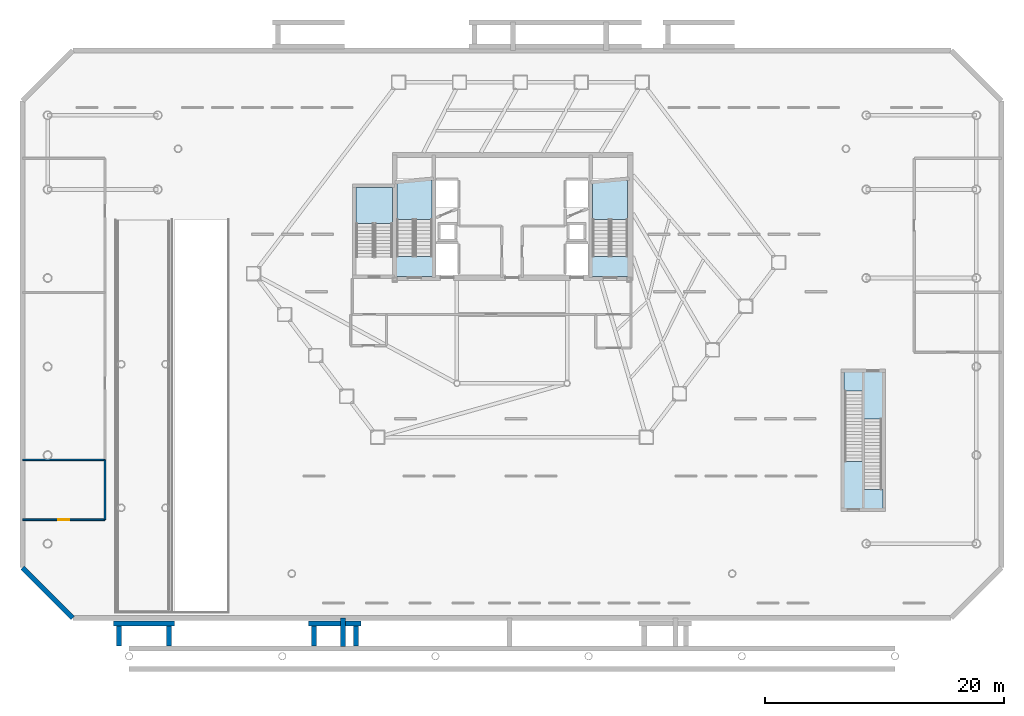
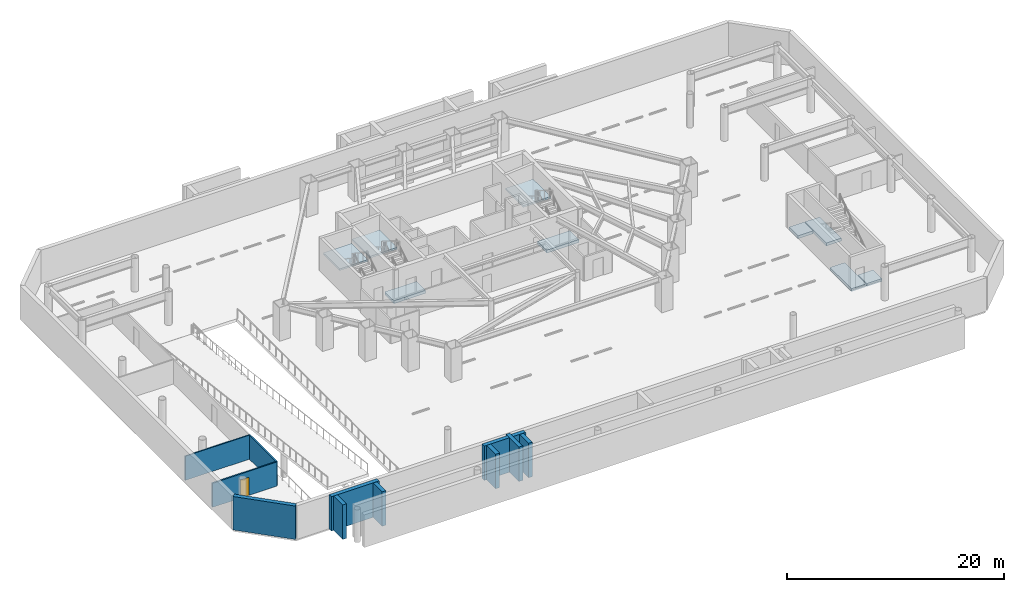
# One storey, part 6 of 15: 11 walls, 9 slabs, 1 door, 1 opening, 3 elements without a shape of their own.
"""IFC4 building model written with IfcOpenShell, lengths in metres."""

import ifcopenshell
import ifcopenshell.guid

model = None  # the IFC model being written
_history = None  # IfcOwnerHistory: only IFC2X3 demands one
_inside = {}  # id of a spatial element -> (the spatial element, [elements in it])
_under = {}  # id of a project, library or spatial element -> (it, [spatial elements below it])
_declared = {}  # id of a project -> (the project, [libraries it declares])
_typed = {}  # id of a type object -> (the type object, [elements of that type])
_made_of = {}  # id of a material, layer set ... -> (it, [elements and type objects made of it])


def new_model(schema):
    """Start an empty IFC model of exactly this schema.

    Asked for "IFC4X3", IfcOpenShell would pick the latest addendum, in which some entities
    have other attributes; the version numbers below select the first issue.
    IFC2X3 requires an IfcOwnerHistory on every rooted entity: one is made here for all.
    """
    global model, _history
    if schema == "IFC4X3":
        model = ifcopenshell.file(schema_version=(4, 3, 0, 0))
    else:
        model = ifcopenshell.file(schema=schema)
    _inside.clear()
    _under.clear()
    _declared.clear()
    _typed.clear()
    _made_of.clear()
    _history = None
    if model.schema == "IFC2X3":
        org = make("IfcOrganization", Name="unknown")
        user = make(
            "IfcPersonAndOrganization",
            ThePerson=make("IfcPerson", FamilyName="unknown"),
            TheOrganization=org,
        )
        app = make(
            "IfcApplication",
            ApplicationDeveloper=org,
            Version="unknown",
            ApplicationFullName="unknown",
            ApplicationIdentifier="unknown",
        )
        _history = make(
            "IfcOwnerHistory",
            OwningUser=user,
            OwningApplication=app,
            ChangeAction="ADDED",
            CreationDate=0,
        )
    return model


def make(cls, **values):
    """One entity of the class cls with the attributes given. An attribute that is None is left unset."""
    return model.create_entity(
        cls, **{name: value for name, value in values.items() if value is not None}
    )


def rooted(cls, **values):
    """An entity with a GlobalId (a new one), such as an element, a storey or a relation."""
    return make(cls, GlobalId=ifcopenshell.guid.new(), OwnerHistory=_history, **values)


def si_unit(unit_type, name, prefix=None):
    """IfcSIUnit, for example si_unit("LENGTHUNIT", "METRE", prefix="MILLI")."""
    return make("IfcSIUnit", UnitType=unit_type, Prefix=prefix, Name=name)


def assignment(units):
    """IfcUnitAssignment: the units of a project."""
    return None if units is None else make("IfcUnitAssignment", Units=units)


def point(xyz):
    """IfcCartesianPoint."""
    return None if xyz is None else make("IfcCartesianPoint", Coordinates=xyz)


def direction(xyz):
    """IfcDirection."""
    return None if xyz is None else make("IfcDirection", DirectionRatios=xyz)


def frame(location, z_axis=None, x_axis=None):
    """IfcAxis2Placement3D, a coordinate frame: its origin and axes. An axis left out is left unset."""
    return make(
        "IfcAxis2Placement3D",
        Location=point(location),
        Axis=direction(z_axis),
        RefDirection=direction(x_axis),
    )


def frame_2d(location, x_axis=None):
    """IfcAxis2Placement2D, a coordinate frame in the plane: its origin and x axis."""
    return make(
        "IfcAxis2Placement2D", Location=point(location), RefDirection=direction(x_axis)
    )


def origin():
    """The frame at (0, 0, 0) with its axes left unset."""
    return frame((0.0, 0.0, 0.0))


def place(relative_to, where):
    """IfcLocalPlacement: puts the frame where relative to a parent placement (None: the world)."""
    return make(
        "IfcLocalPlacement", PlacementRelTo=relative_to, RelativePlacement=where
    )


def context(
    kind, dimensions, precision=None, world=None, true_north=None, identifier=None
):
    """IfcGeometricRepresentationContext, for example the 3D "Model" context."""
    return make(
        "IfcGeometricRepresentationContext",
        ContextIdentifier=identifier,
        ContextType=kind,
        CoordinateSpaceDimension=dimensions,
        Precision=precision,
        WorldCoordinateSystem=world,
        TrueNorth=true_north,
    )


def subcontext(parent, identifier, kind, view, scale=None):
    """IfcGeometricRepresentationSubContext, for example "Body" below "Model"."""
    return make(
        "IfcGeometricRepresentationSubContext",
        ContextIdentifier=identifier,
        ContextType=kind,
        ParentContext=parent,
        TargetScale=scale,
        TargetView=view,
    )


def project(units=None, contexts=None):
    """IfcProject with its units and contexts."""
    return rooted(
        "IfcProject",
        Name="project",
        RepresentationContexts=contexts,
        UnitsInContext=assignment(units),
    )


def spatial(cls, under=None, at=None, **own):
    """A site, building, storey or space (cls), placed at a placement, below another one or the project."""
    s = rooted(cls, ObjectPlacement=at, **own)
    if under is not None:
        _under.setdefault(under.id(), (under, []))[1].append(s)
    return s


def polyline(points):
    """IfcPolyline through the points."""
    return make("IfcPolyline", Points=[point(p) for p in points])


def profile(cls, at=None, kind="AREA", **sizes):
    """A parametric profile (cls). Its sizes go by their IFC names, for example OverallWidth=200.0."""
    return make(cls, ProfileType=kind, Position=at, **sizes)


def rectangle(**sizes):
    """IfcRectangleProfileDef."""
    return profile("IfcRectangleProfileDef", **sizes)


def outline(outer, holes=None, kind="AREA"):
    """IfcArbitraryClosedProfileDef: a profile drawn as a closed curve; with holes, ...WithVoids."""
    if holes is None:
        return make("IfcArbitraryClosedProfileDef", ProfileType=kind, OuterCurve=outer)
    return make(
        "IfcArbitraryProfileDefWithVoids",
        ProfileType=kind,
        OuterCurve=outer,
        InnerCurves=holes,
    )


def extrude(swept, where, along, depth):
    """IfcExtrudedAreaSolid: the profile swept, set in the frame where, extruded along a direction by depth."""
    return make(
        "IfcExtrudedAreaSolid",
        SweptArea=swept,
        Position=where,
        ExtrudedDirection=direction(along),
        Depth=depth,
    )


def shape(context_of_items, identifier, shape_type, items):
    """IfcShapeRepresentation: the items that make up one representation, for example the "Body"."""
    return make(
        "IfcShapeRepresentation",
        ContextOfItems=context_of_items,
        RepresentationIdentifier=identifier,
        RepresentationType=shape_type,
        Items=items,
    )


def material(Name=None, Category=None):
    """IfcMaterial."""
    return make("IfcMaterial", Name=Name, Category=Category)


def layer(
    of_material, thickness, ventilated=None, Name=None, Category=None, Priority=None
):
    """IfcMaterialLayer: one layer of a wall or slab, of a material (None: an air gap)."""
    return make(
        "IfcMaterialLayer",
        Material=of_material,
        LayerThickness=thickness,
        IsVentilated=ventilated,
        Name=Name,
        Category=Category,
        Priority=Priority,
    )


def layer_set(layers, Name=None):
    """IfcMaterialLayerSet."""
    return make("IfcMaterialLayerSet", MaterialLayers=layers, LayerSetName=Name)


def made_of(thing, what):
    """Note that an element or type object is made of a material, layer set ...; save() writes the relation."""
    if what is not None:
        _made_of.setdefault(what.id(), (what, []))[1].append(thing)
    return thing


def type_object(cls, material=None, **own):
    """A type object (cls), such as IfcWallType, which elements share."""
    return made_of(rooted(cls, **own), material)


def element(
    cls,
    number,
    at=None,
    inside=None,
    cuts=None,
    type_object=None,
    material=None,
    context=None,
    identifier="Body",
    shape_type=None,
    held_by="IfcProductDefinitionShape",
    body=None,
    shapes=None,
    **own,
):
    """One element of the class cls, such as IfcWall. Its Tag is "e" and its number.

    at: its placement. inside: the storey or other place that contains it. cuts: it is an
    opening in that element (IfcRelVoidsElement). A single representation is given by context,
    identifier, shape_type and body (its items); several are given by shapes. held_by: the class
    of the entity that holds the representations. save() writes the other relations.
    """
    e = rooted(cls, Tag="e%d" % number, ObjectPlacement=at, **own)
    if body is not None:
        shapes = [shape(context, identifier, shape_type, body)]
    if shapes is not None:
        e.Representation = make(held_by, Representations=shapes)
    if inside is not None:
        _inside.setdefault(inside.id(), (inside, []))[1].append(e)
    if cuts is not None:
        rooted(
            "IfcRelVoidsElement", RelatingBuildingElement=cuts, RelatedOpeningElement=e
        )
    if type_object is not None:
        _typed.setdefault(type_object.id(), (type_object, []))[1].append(e)
    return made_of(e, material)


def fill(opening, filler):
    """IfcRelFillsElement: the door or window that sits in an opening."""
    return rooted(
        "IfcRelFillsElement",
        RelatingOpeningElement=opening,
        RelatedBuildingElement=filler,
    )


def aggregate(whole, parts):
    """IfcRelAggregates: a whole, such as a stair, and the parts it consists of."""
    return rooted("IfcRelAggregates", RelatingObject=whole, RelatedObjects=parts)


def save(model, path):
    """Write the relations noted so far, then the file.

    IfcRelAggregates (storeys below a building ...), IfcRelContainedInSpatialStructure (elements
    in a storey), IfcRelDefinesByType, IfcRelAssociatesMaterial and IfcRelDeclares: one each for
    every whole, place, type object, material and project.
    """
    for whole, parts in _under.values():
        aggregate(whole, parts)
    for where, things in _inside.values():
        rooted(
            "IfcRelContainedInSpatialStructure",
            RelatedElements=things,
            RelatingStructure=where,
        )
    for kind, things in _typed.values():
        rooted("IfcRelDefinesByType", RelatedObjects=things, RelatingType=kind)
    for what, things in _made_of.values():
        rooted("IfcRelAssociatesMaterial", RelatedObjects=things, RelatingMaterial=what)
    for by, libraries in _declared.values():
        rooted("IfcRelDeclares", RelatingContext=by, RelatedDefinitions=libraries)
    model.write(path)


model = new_model("IFC4")

# Units and contexts
model_context = context("Model", 3, precision=1e-05, world=origin(), true_north=direction((0.0, 1.0)))
body_context = subcontext(model_context, "Body", "Model", "MODEL_VIEW")
ifc_project = project(units=[si_unit("LENGTHUNIT", "METRE"), si_unit("AREAUNIT", "SQUARE_METRE"), si_unit("VOLUMEUNIT", "CUBIC_METRE"), si_unit("PLANEANGLEUNIT", "RADIAN"), si_unit("MASSUNIT", "GRAM", prefix="KILO")], contexts=[model_context])

# Site, building, storey
site_placement = place(None, origin())
site = spatial("IfcSite", under=ifc_project, at=site_placement, CompositionType="ELEMENT")
building_placement = place(site_placement, origin())
building = spatial("IfcBuilding", under=site, at=building_placement, Name="Zarrinselat Tower", CompositionType="ELEMENT")
storey_placement = place(building_placement, frame((0.0, 0.0, -4.080078125)))
storey = spatial("IfcBuildingStorey", under=building, at=storey_placement, Name="B01", CompositionType="ELEMENT", Elevation=-4.080078125)

# Slabs
ifc_material_1 = material(Name="Concrete C40/50", Category="concrete")
ifc_layer_1 = layer(ifc_material_1, 0.320068359375)
ifc_layer_set_1 = layer_set([ifc_layer_1], Name="Concrete C40/50")
slab_type_1 = type_object("IfcSlabType", Name="SLB-FLOOR-320-SL-PD320", PredefinedType="FLOOR", material=ifc_layer_set_1)
slab_1_placement = place(storey_placement, frame((0.0, 0.0, -0.31982421875)))
element("IfcSlab", 1, at=slab_1_placement, inside=storey, type_object=slab_type_1, Name="B01 Stair ST-1-FL1 Structural Floor Landing", PredefinedType="FLOOR", context=body_context, shape_type="SweptSolid", body=[
    extrude(outline(polyline([(31.97998046875, 33.330078125), (31.97998046875, 35.0), (28.610107421875, 35.0), (28.610107421875, 33.330078125), (31.97998046875, 33.330078125)])), origin(), (0.0, 0.0, 1.0), 0.31982421875),
])
slab_2_placement = place(storey_placement, frame((0.0, 0.0, -0.31982421875)))
element("IfcSlab", 2, at=slab_2_placement, inside=storey, type_object=slab_type_1, Name="B01 Stair ST-2-FL1 Structural Floor Landing", PredefinedType="FLOOR", context=body_context, shape_type="SweptSolid", body=[
    extrude(outline(polyline([(48.320068359375, 33.330078125), (48.320068359375, 35.0), (44.8798828125, 35.0), (44.8798828125, 33.330078125), (48.320068359375, 33.330078125)])), origin(), (0.0, 0.0, 1.0), 0.31982421875),
])
slab_3_placement = place(storey_placement, frame((0.0, 0.0, -0.31982421875)))
element("IfcSlab", 3, at=slab_3_placement, inside=storey, type_object=slab_type_1, Name="B01 Stair ST-4-FL1 Structural Floor Landing", PredefinedType="FLOOR", context=body_context, shape_type="SweptSolid", body=[
    extrude(outline(polyline([(67.7099609375, 13.919921875), (67.7099609375, 17.8701171875), (66.1201171875, 17.8701171875), (66.1201171875, 13.919921875), (67.7099609375, 13.919921875)])), origin(), (0.0, 0.0, 1.0), 0.31982421875),
])
slab_4_placement = place(storey_placement, frame((0.0, 0.0, -0.31982421875)))
element("IfcSlab", 4, at=slab_4_placement, inside=storey, type_object=slab_type_1, Name="B01 Stair ST-4-FL2 Structural Floor Landing", PredefinedType="FLOOR", context=body_context, shape_type="SweptSolid", body=[
    extrude(outline(polyline([(69.3798828125, 13.919921875), (69.3798828125, 15.550048828125), (67.7900390625, 15.550048828125), (67.7900390625, 13.919921875), (69.3798828125, 13.919921875)])), origin(), (0.0, 0.0, 1.0), 0.31982421875),
])
slab_5_placement = place(storey_placement, frame((0.0, 0.0, -0.31982421875)))
element("IfcSlab", 5, at=slab_5_placement, inside=storey, type_object=slab_type_1, Name="B01 Stair ST-4-FL3 Structural Floor Landing", PredefinedType="FLOOR", context=body_context, shape_type="SweptSolid", body=[
    extrude(outline(polyline([(69.3798828125, 21.429931640625), (69.3798828125, 25.3798828125), (67.7900390625, 25.3798828125), (67.7900390625, 21.429931640625), (69.3798828125, 21.429931640625)])), origin(), (0.0, 0.0, 1.0), 0.31982421875),
])
slab_6_placement = place(storey_placement, frame((0.0, 0.0, -0.31982421875)))
element("IfcSlab", 6, at=slab_6_placement, inside=storey, type_object=slab_type_1, Name="B01 Stair ST-4-FL4 Structural Floor Landing", PredefinedType="FLOOR", context=body_context, shape_type="SweptSolid", body=[
    extrude(outline(polyline([(67.7099609375, 23.75), (67.7099609375, 25.3798828125), (66.1201171875, 25.3798828125), (66.1201171875, 23.75), (67.7099609375, 23.75)])), origin(), (0.0, 0.0, 1.0), 0.31982421875),
])

# Stair, slab
ifc_material_2 = material(Name="Concrete C40/50", Category="concrete")
stair_type_1 = type_object("IfcStairType", Name="STR-CORE-145", PredefinedType="HALF_TURN_STAIR", material=ifc_material_2)
stair_1_placement = place(storey_placement, origin())
stair_1 = element("IfcStair", 7, at=stair_1_placement, inside=storey, type_object=stair_type_1, Name="B01 Podium & Mid-Tower Exit Stair 3", PredefinedType="HALF_TURN_STAIR")
ifc_material_3 = material(Name="Concrete C40/50", Category="concrete")
ifc_layer_2 = layer(ifc_material_3, 0.1650390625)
ifc_layer_set_2 = layer_set([ifc_layer_2], Name="Concrete C40/50")
slab_type_2 = type_object("IfcSlabType", Name="SLB-LND-165", PredefinedType="LANDING", material=ifc_layer_set_2)
slab_7_placement = place(storey_placement, frame((0.0, 0.0, 1.840087890625)))
slab_7 = element("IfcSlab", 8, at=slab_7_placement, type_object=slab_type_2, Name="ST-3 landing 1", PredefinedType="LANDING", context=body_context, shape_type="SweptSolid", body=[
    extrude(outline(polyline([(28.39990234375, 37.75), (28.39990234375, 40.75), (25.3798828125, 40.75), (25.3798828125, 37.75), (28.39990234375, 37.75)])), origin(), (0.0, 0.0, 1.0), 0.199951171875),
])
aggregate(stair_1, [slab_7])

ifc_material_4 = material(Name="Concrete C40/50", Category="concrete")
stair_type_2 = type_object("IfcStairType", Name="STR-CORE-155", PredefinedType="HALF_TURN_STAIR", material=ifc_material_4)
stair_2_placement = place(storey_placement, origin())
stair_2 = element("IfcStair", 9, at=stair_2_placement, inside=storey, type_object=stair_type_2, Name="B01 Core Exit Stair 1", PredefinedType="HALF_TURN_STAIR")
ifc_material_5 = material(Name="Concrete C40/50", Category="concrete")
ifc_layer_3 = layer(ifc_material_5, 0.18994140625)
ifc_layer_set_3 = layer_set([ifc_layer_3], Name="Concrete C40/50")
slab_type_3 = type_object("IfcSlabType", Name="SLB-LND-190", PredefinedType="LANDING", material=ifc_layer_set_3)
slab_8_placement = place(storey_placement, frame((0.0, 0.0, 1.840087890625)))
slab_8 = element("IfcSlab", 10, at=slab_8_placement, type_object=slab_type_3, Name="ST-1 landing 1", PredefinedType="LANDING", context=body_context, shape_type="SweptSolid", body=[
    extrude(outline(polyline([(31.719970703125, 38.10009765625), (31.719970703125, 41.35009765625), (28.800048828125, 41.35009765625), (28.800048828125, 38.10009765625), (31.719970703125, 38.10009765625)])), origin(), (0.0, 0.0, 1.0), 0.199951171875),
])
aggregate(stair_2, [slab_8])

stair_3_placement = place(storey_placement, origin())
stair_3 = element("IfcStair", 11, at=stair_3_placement, inside=storey, type_object=stair_type_2, Name="B01 Core Exit Stair 2", PredefinedType="HALF_TURN_STAIR")
slab_9_placement = place(storey_placement, frame((0.0, 0.0, 1.840087890625)))
slab_9 = element("IfcSlab", 12, at=slab_9_placement, type_object=slab_type_3, Name="ST-2 landing 1", PredefinedType="LANDING", context=body_context, shape_type="SweptSolid", body=[
    extrude(outline(polyline([(48.06005859375, 38.10009765625), (48.06005859375, 41.35009765625), (45.139892578125, 41.35009765625), (45.139892578125, 38.10009765625), (48.06005859375, 38.10009765625)])), origin(), (0.0, 0.0, 1.0), 0.199951171875),
])
aggregate(stair_3, [slab_9])

# Wall, opening, door
ifc_material_6 = material(Name="Fire-Rated Gypsum Board Partition", Category="gypsum")
ifc_layer_4 = layer(ifc_material_6, 0.14990234375)
ifc_layer_set_4 = layer_set([ifc_layer_4], Name="Fire-Rated Gypsum Board Partition")
wall_type_1 = type_object("IfcWallType", Name="WAL-PART-EI60", PredefinedType="PARTITIONING", material=ifc_layer_set_4)
wall_1_placement = place(storey_placement, frame((-2.485107421875, 13.0, 0.0), z_axis=(0.0, 0.0, 1.0), x_axis=(1.0, 0.0, 0.0)))
wall_1 = element("IfcWall", 13, at=wall_1_placement, inside=storey, type_object=wall_type_1, Name="B01 Partition Wall 22", PredefinedType="PARTITIONING", context=body_context, shape_type="SweptSolid", body=[
    extrude(rectangle(XDim=6.864990234375, YDim=0.14990234375, at=frame_2d((3.4326171875, 0.0))), origin(), (0.0, 0.0, 1.0), 2.717041015625),
])
opening_placement = place(wall_1_placement, frame((2.96240234375, 0.0, 0.0)))
opening = element("IfcOpeningElement", 14, at=opening_placement, cuts=wall_1, Name="Opening ID-04", PredefinedType="OPENING", context=body_context, shape_type="SweptSolid", body=[
    extrude(rectangle(XDim=0.93994140625, YDim=2.050048828125, at=frame_2d((0.469970703125, 1.02490234375))), frame((0.0, 0.0849609375, 0.0), z_axis=(0.0, -1.0, 0.0), x_axis=(1.0, 0.0, 0.0)), (0.0, 0.0, 1.0), 0.169921875),
])
ifc_material_7 = material(Name="Fire-Rated Gypsum Board Partition")
door_type = type_object("IfcDoorType", Name="DR-INT-FD30-ENT", OperationType="NOTDEFINED", PredefinedType="DOOR", material=ifc_material_7)
door_placement = place(opening_placement, origin())
door = element("IfcDoor", 15, at=door_placement, inside=storey, type_object=door_type, Name="B01 Interior Door P22", OperationType="SINGLE_SWING_RIGHT", OverallHeight=2.050048828125, OverallWidth=0.93994140625, PredefinedType="DOOR", context=body_context, shape_type="SweptSolid", body=[
    extrude(rectangle(XDim=0.93994140625, YDim=2.050048828125, at=frame_2d((0.469970703125, 1.02490234375))), frame((0.0, 0.02490234375, 0.0), z_axis=(0.0, -1.0, 0.0), x_axis=(1.0, 0.0, 0.0)), (0.0, 0.0, 1.0), 0.050048828125),
])
fill(opening, door)

# Walls
wall_2_placement = place(storey_placement, frame((4.39990234375, 13.02001953125, 0.0), z_axis=(0.0, 0.0, 1.0), x_axis=(0.0, 1.0, 0.0)))
element("IfcWall", 16, at=wall_2_placement, inside=storey, type_object=wall_type_1, Name="B01 Partition Wall 23", PredefinedType="PARTITIONING", context=body_context, shape_type="SweptSolid", body=[
    extrude(rectangle(XDim=4.97509765625, YDim=0.14990234375, at=frame_2d((2.487548828125, 0.0))), origin(), (0.0, 0.0, 1.0), 2.717041015625),
])
ifc_material_8 = material(Name="Fire-Rated Gypsum Board Partition", Category="gypsum")
ifc_layer_5 = layer(ifc_material_8, 0.1201171875)
ifc_layer_set_5 = layer_set([ifc_layer_5], Name="Fire-Rated Gypsum Board Partition")
wall_type_2 = type_object("IfcWallType", Name="WAL-PART-STD", PredefinedType="PARTITIONING", material=ifc_layer_set_5)
wall_3_placement = place(storey_placement, frame((-2.485107421875, 18.0, 0.0), z_axis=(0.0, 0.0, 1.0), x_axis=(1.0, 0.0, 0.0)))
element("IfcWall", 17, at=wall_3_placement, inside=storey, type_object=wall_type_2, Name="B01 Partition Wall 28", PredefinedType="PARTITIONING", context=body_context, shape_type="SweptSolid", body=[
    extrude(rectangle(XDim=6.864990234375, YDim=0.1201171875, at=frame_2d((3.4326171875, 0.0))), origin(), (0.0, 0.0, 1.0), 2.717041015625),
])
ifc_material_9 = material(Name="Concrete C50/60", Category="concrete")
ifc_layer_6 = layer(ifc_material_9, 0.419921875)
ifc_layer_set_6 = layer_set([ifc_layer_6], Name="Concrete C50/60")
wall_type_3 = type_object("IfcWallType", Name="WAL-RET-420", PredefinedType="SOLIDWALL", material=ifc_layer_set_6)
wall_4_placement = place(storey_placement, frame((24.27490234375, 2.39990234375, 0.0), z_axis=(0.0, 0.0, 1.0), x_axis=(0.0, 1.0, 0.0)))
element("IfcWall", 18, at=wall_4_placement, inside=storey, type_object=wall_type_3, Name="B01 Accessible Ramp 1 Bearing Wall", PredefinedType="SOLIDWALL", context=body_context, shape_type="SweptSolid", body=[
    extrude(rectangle(XDim=2.400146484375, YDim=0.419921875, at=frame_2d((1.2001953125, 0.0))), origin(), (0.0, 0.0, 1.0), 3.880126953125),
])
wall_5_placement = place(storey_placement, frame((5.10009765625, 4.35009765625, 0.0), z_axis=(0.0, 0.0, 1.0), x_axis=(1.0, 0.0, 0.0)))
element("IfcWall", 19, at=wall_5_placement, inside=storey, type_object=wall_type_3, Name="B01 VG Apron North Bearing Wall", PredefinedType="SOLIDWALL", context=body_context, shape_type="SweptSolid", body=[
    extrude(rectangle(XDim=5.099853515625, YDim=0.419921875, at=frame_2d((2.5498046875, 0.0))), origin(), (0.0, 0.0, 1.0), 3.880126953125),
])
for number, where, z_axis, x_axis, name in (
    (20, (5.550048828125, 2.469970703125, 0.0), (0.0, 0.0, 1.0), (0.0, 1.0, 0.0), "B01 VG Apron West Cross Bearing Wall"),
    (21, (9.75, 2.469970703125, 0.0), (0.0, 0.0, 1.0), (0.0, 1.0, 0.0), "B01 VG Apron East Cross Bearing Wall"),
):
    element("IfcWall", number, at=place(storey_placement, frame(where, z_axis=z_axis, x_axis=x_axis)), inside=storey, type_object=wall_type_3, Name=name, PredefinedType="SOLIDWALL", context=body_context, shape_type="SweptSolid", body=[
        extrude(rectangle(XDim=1.659912109375, YDim=0.419921875, at=frame_2d((0.830078125, 0.0))), origin(), (0.0, 0.0, 1.0), 3.880126953125),
    ])
wall_6_placement = place(storey_placement, frame((21.39990234375, 4.35009765625, 0.0), z_axis=(0.0, 0.0, 1.0), x_axis=(1.0, 0.0, 0.0)))
element("IfcWall", 22, at=wall_6_placement, inside=storey, type_object=wall_type_3, Name="B01 EXW Apron North Bearing Wall", PredefinedType="SOLIDWALL", context=body_context, shape_type="SweptSolid", body=[
    extrude(rectangle(XDim=4.400146484375, YDim=0.419921875, at=frame_2d((2.2001953125, 0.0))), origin(), (0.0, 0.0, 1.0), 3.880126953125),
])
for number, where, z_axis, x_axis, name in (
    (23, (21.85009765625, 2.469970703125, 0.0), (0.0, 0.0, 1.0), (0.0, 1.0, 0.0), "B01 EXW Apron West Cross Bearing Wall"),
    (24, (25.35009765625, 2.469970703125, 0.0), (0.0, 0.0, 1.0), (0.0, 1.0, 0.0), "B01 EXW Apron East Cross Bearing Wall"),
):
    element("IfcWall", number, at=place(storey_placement, frame(where, z_axis=z_axis, x_axis=x_axis)), inside=storey, type_object=wall_type_3, Name=name, PredefinedType="SOLIDWALL", context=body_context, shape_type="SweptSolid", body=[
        extrude(rectangle(XDim=1.659912109375, YDim=0.419921875, at=frame_2d((0.830078125, 0.0))), origin(), (0.0, 0.0, 1.0), 3.880126953125),
    ])
wall_7_placement = place(storey_placement, frame((-2.5, 9.0, 0.0), z_axis=(0.0, 0.0, 1.0), x_axis=(0.707106781187, -0.707106781187, 0.0)))
element("IfcWall", 25, at=wall_7_placement, inside=storey, type_object=wall_type_3, Name="B01 Basement Perimeter Retaining Wall 8", PredefinedType="SOLIDWALL", context=body_context, shape_type="SweptSolid", body=[
    extrude(rectangle(XDim=5.939697265625, YDim=0.419921875, at=frame_2d((2.9697265625, 0.0))), origin(), (0.0, 0.0, 1.0), 3.760009765625),
])

save(model, "model.ifc")
